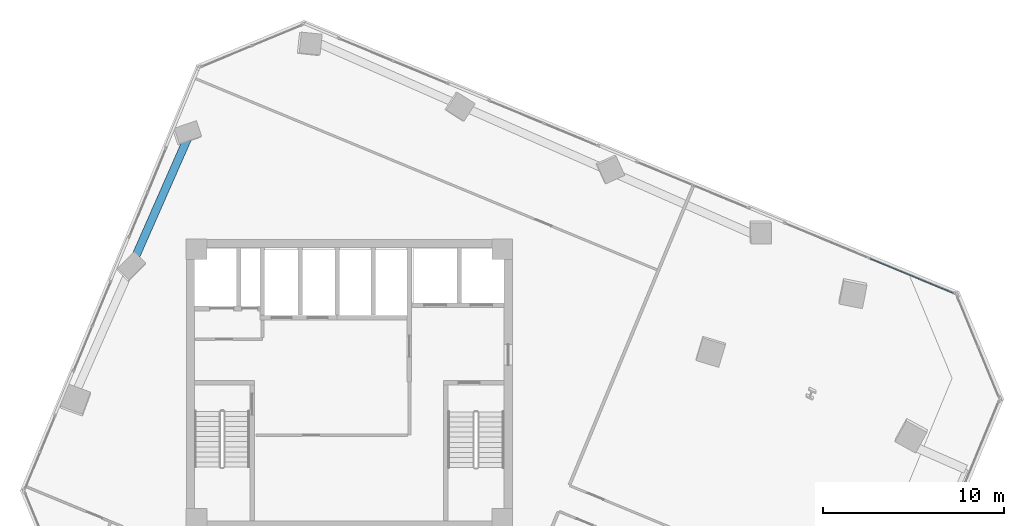
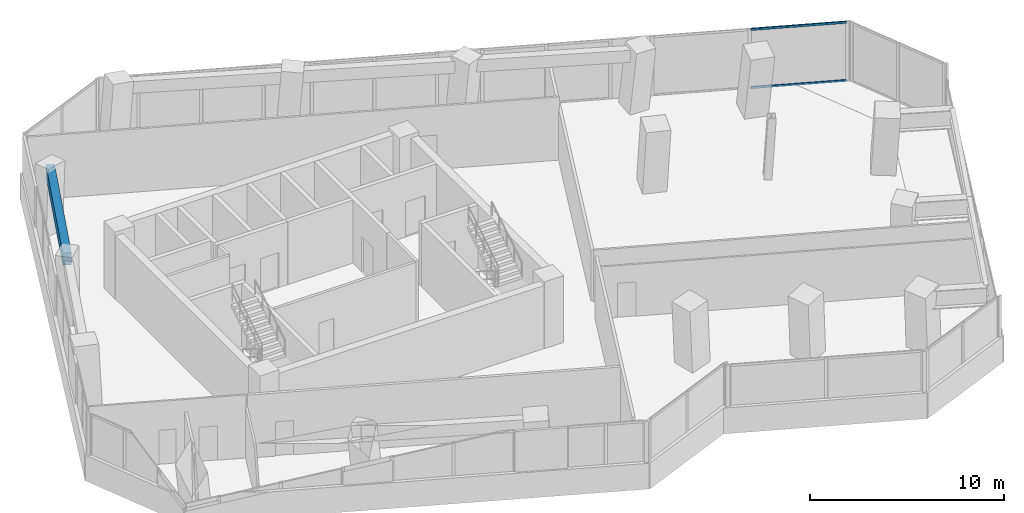
# One storey, part 11 of 23: 2 members, 1 beam, 1 element without a shape of its own.
"""IFC4 building model written with IfcOpenShell, lengths in metres."""

from ifc_helpers import new_model, si_unit, direction, frame, origin, origin_2d, place, context, subcontext, project, spatial, rectangle, hollow_rectangle, extrude, source, transform, mapped, material, material_profile, profile_set, type_object, element, aggregate, save


model = new_model("IFC4")

# Units and contexts
model_context = context("Model", 3, precision=1e-05, world=origin(), true_north=direction((0.0, 1.0)))
body_context = subcontext(model_context, "Body", "Model", "MODEL_VIEW")
ifc_project = project(units=[si_unit("LENGTHUNIT", "METRE"), si_unit("AREAUNIT", "SQUARE_METRE"), si_unit("VOLUMEUNIT", "CUBIC_METRE"), si_unit("PLANEANGLEUNIT", "RADIAN"), si_unit("MASSUNIT", "GRAM", prefix="KILO")], contexts=[model_context])

# Site, building, storey
site_placement = place(None, origin())
site = spatial("IfcSite", under=ifc_project, at=site_placement, CompositionType="ELEMENT")
building_placement = place(site_placement, origin())
building = spatial("IfcBuilding", under=site, at=building_placement, Name="Torre Montelarca", CompositionType="ELEMENT")
storey_placement = place(building_placement, frame((0.0, 0.0, 145.60009765625)))
storey = spatial("IfcBuildingStorey", under=building, at=storey_placement, Name="L32", CompositionType="ELEMENT", Elevation=145.60009765625)

# Beam
ifc_material_1 = material(Name="Concrete C55/67", Category="concrete")
ifc_material_profile_1 = material_profile(ifc_material_1, rectangle(XDim=0.449951171875, YDim=0.75, at=origin_2d()), Name="RCB450X750", Category="concrete")
ifc_profile_set_1 = profile_set([ifc_material_profile_1], Name="Concrete C55/67")
beam_type = type_object("IfcBeamType", Name="BM-SP-RC750-EXT", PredefinedType="SPANDREL", material=ifc_profile_set_1)
shared_shape_1 = source(origin(), body_context, "Body", "SweptSolid", [
    extrude(rectangle(XDim=0.449951171875, YDim=0.75, at=origin_2d()), origin(), (0.0, 0.0, 1.0), 8.0),
])
beam_placement = place(storey_placement, frame((6.076904296875, 38.786376953125, 3.5849609375), z_axis=(0.402766226846, 0.91530288239, 0.0), x_axis=(-0.91530288239, 0.402766226846, 0.0)))
element("IfcBeam", 1, at=beam_placement, inside=storey, type_object=beam_type, Name="L32 Grid Girder Y 32.0-40.0 at X=4.7", PredefinedType="SPANDREL", context=body_context, shape_type="MappedRepresentation", body=[
    mapped(shared_shape_1, transform((0.0, 0.0, 0.0), scale=1.0)),
])

# Curtain wall, members
ifc_material_2 = material(Name="Insulated low-E laminated glass", Category="glass")
curtain_wall_type = type_object("IfcCurtainWallType", Name="CW-SYS-Z2", PredefinedType="USERDEFINED", material=ifc_material_2)
curtain_wall_placement = place(storey_placement, origin())
curtain_wall = element("IfcCurtainWall", 2, at=curtain_wall_placement, inside=storey, type_object=curtain_wall_type, Name="L32 Curtain Wall Run CW-T3-L32-E08-B1", ObjectType="UNITISED GLAZING", PredefinedType="USERDEFINED")
ifc_material_3 = material(Name="Anodised aluminium AA 6063-T6", Category="aluminium")
ifc_material_profile_2 = material_profile(ifc_material_3, hollow_rectangle(XDim=0.06494140625, YDim=0.139892578125, WallThickness=0.00390625, InnerFilletRadius=0.00390625, OuterFilletRadius=0.008056640625, at=origin_2d()), Name="ALU65X140X4", Category="aluminium")
ifc_profile_set_2 = profile_set([ifc_material_profile_2], Name="Anodised aluminium AA 6063-T6")
member_type = type_object("IfcMemberType", Name="CWT-ALU140", PredefinedType="USERDEFINED", material=ifc_profile_set_2)
shared_shape_2 = source(origin(), body_context, "Body", "SweptSolid", [
    extrude(hollow_rectangle(XDim=0.06494140625, YDim=0.139892578125, WallThickness=0.00390625, InnerFilletRadius=0.00390625, OuterFilletRadius=0.008056640625, at=origin_2d()), origin(), (0.0, 0.0, 1.0), 4.9921875),
])
member_1_placement = place(storey_placement, frame((51.364990234375, 37.023681640625, 0.032470703125), z_axis=(-0.923877948785, 0.382687255796, 0.0), x_axis=(-0.382687255796, -0.923877948785, 0.0)))
member_1 = element("IfcMember", 3, at=member_1_placement, type_object=member_type, Name="CW transom 1.1", ObjectType="TRANSOM", PredefinedType="USERDEFINED", context=body_context, shape_type="MappedRepresentation", body=[
    mapped(shared_shape_2, transform((0.0, 0.0, 0.0), scale=1.0)),
])
member_2_placement = place(storey_placement, frame((51.364990234375, 37.023681640625, 3.6875), z_axis=(-0.923877948785, 0.382687255796, 0.0), x_axis=(-0.382687255796, -0.923877948785, 0.0)))
member_2 = element("IfcMember", 4, at=member_2_placement, type_object=member_type, Name="CW transom 1.2", ObjectType="TRANSOM", PredefinedType="USERDEFINED", context=body_context, shape_type="MappedRepresentation", body=[
    mapped(shared_shape_2, transform((0.0, 0.0, 0.0), scale=1.0)),
])
aggregate(curtain_wall, [member_1, member_2])

save(model, "model.ifc")
